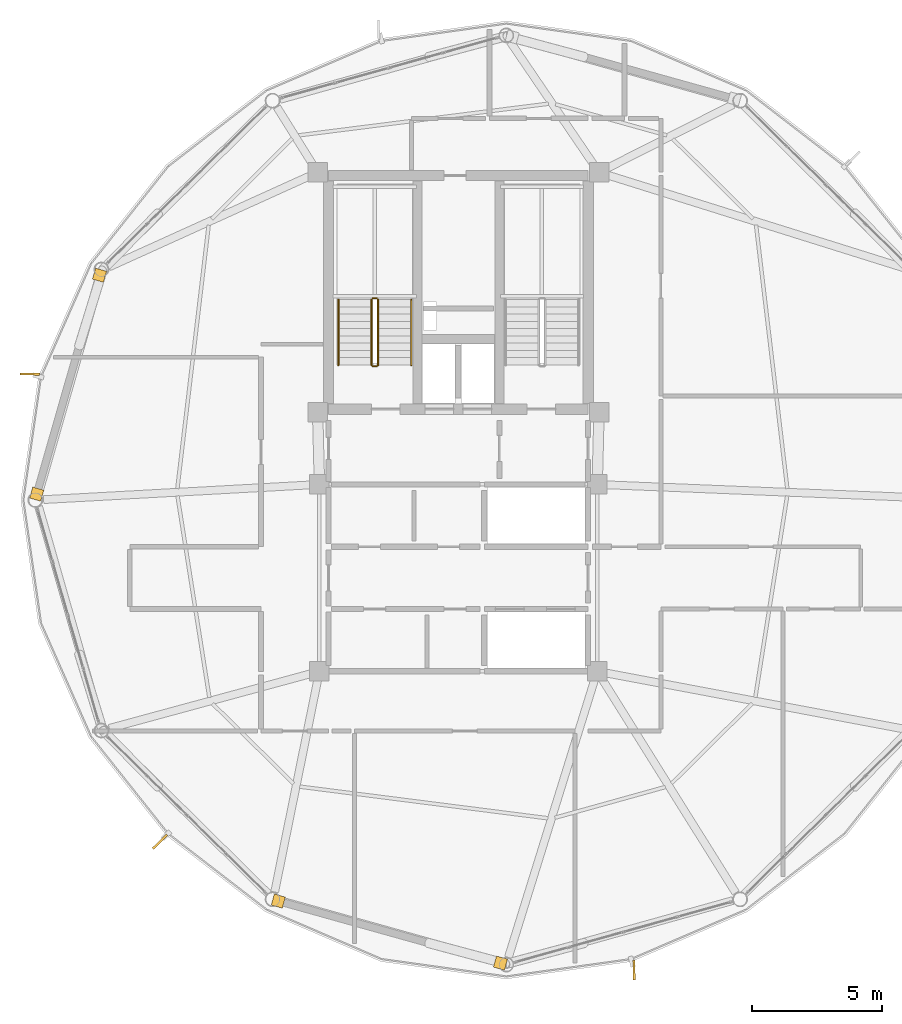
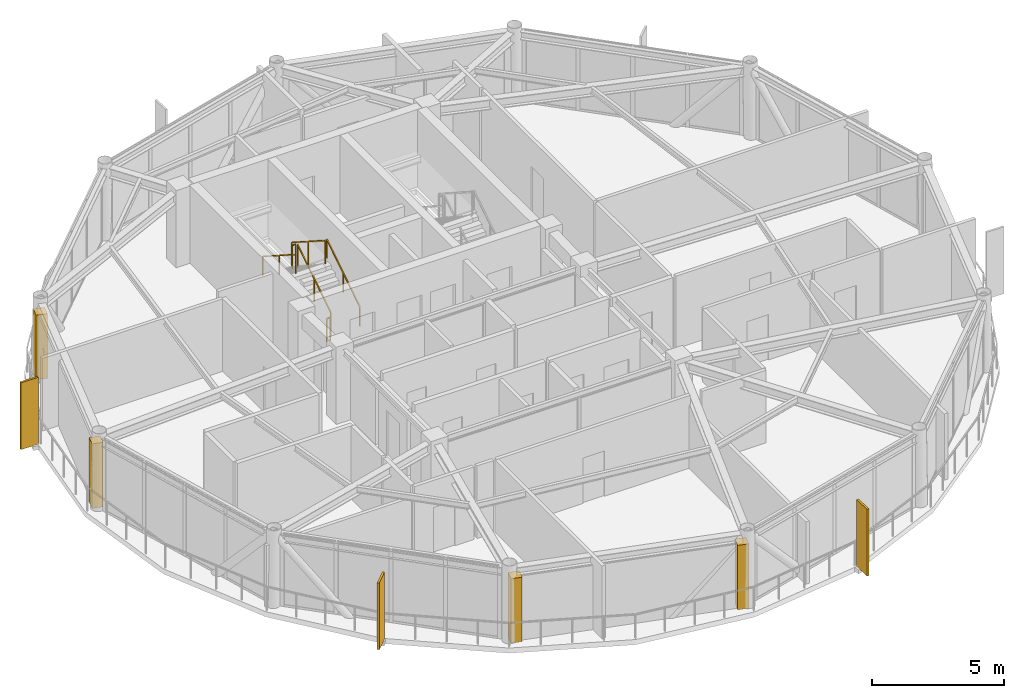
# One storey, part 24 of 26: 6 railings, 4 coverings, 3 shading devices.
"""IFC4 building model written with IfcOpenShell, lengths in metres."""

from ifc_helpers import new_model, si_unit, direction, frame, origin, origin_2d, place, context, subcontext, project, spatial, rectangle, extrude, source, transform, mapped, material, layer, layer_set, type_object, type_shapes, element, save


model = new_model("IFC4")

# Units and contexts
model_context = context("Model", 3, precision=1e-05, world=origin(), true_north=direction((0.0, 1.0)))
body_context = subcontext(model_context, "Body", "Model", "MODEL_VIEW")
ifc_project = project(units=[si_unit("LENGTHUNIT", "METRE"), si_unit("AREAUNIT", "SQUARE_METRE"), si_unit("VOLUMEUNIT", "CUBIC_METRE"), si_unit("PLANEANGLEUNIT", "RADIAN"), si_unit("MASSUNIT", "GRAM", prefix="KILO")], contexts=[model_context])

# Site, building, storey
site_placement = place(None, origin())
site = spatial("IfcSite", under=ifc_project, at=site_placement, CompositionType="ELEMENT")
building_placement = place(site_placement, origin())
building = spatial("IfcBuilding", under=site, at=building_placement, Name="Varnakorn Sky Granary", CompositionType="ELEMENT")
storey_placement = place(building_placement, frame((0.0, 0.0, 267.0)))
storey = spatial("IfcBuildingStorey", under=building, at=storey_placement, Name="L68", CompositionType="ELEMENT", Elevation=267.0)

# Railings
ifc_material_1 = material(Name="Brushed Stainless Steel 316", Category="steel")
railing_type_1 = type_object("IfcRailingType", Name="RL-STAIR-1100", PredefinedType="GUARDRAIL", material=ifc_material_1)
railing_1_placement = place(storey_placement, frame((-0.090087890625, 5.199951171875, 0.179931640625)))
element("IfcRailing", 1, at=railing_1_placement, inside=storey, type_object=railing_type_1, Name="L68 ST-1 stair guard 1", PredefinedType="GUARDRAIL", context=body_context, shape_type="SweptSolid", body=[
    extrude(rectangle(XDim=0.048095703125, YDim=0.048095703125, at=origin_2d()), frame((0.0, 0.0, 1.076171875), z_axis=(0.0, 0.841162588446, 0.540782303519), x_axis=(-1.0, 0.0, 0.0)), (0.0, 0.0, 1.0), 2.995849609375),
    extrude(rectangle(XDim=0.0419921875, YDim=0.0419921875, at=origin_2d()), origin(), (0.0, 0.0, 1.0), 1.048095703125),
    extrude(rectangle(XDim=0.0419921875, YDim=0.0419921875, at=origin_2d()), frame((0.0, 1.260009765625, 0.81005859375)), (0.0, 0.0, 1.0), 1.048095703125),
    extrude(rectangle(XDim=0.0419921875, YDim=0.0419921875, at=origin_2d()), frame((0.0, 2.52001953125, 1.6201171875)), (0.0, 0.0, 1.0), 1.048095703125),
])
railing_2_placement = place(storey_placement, frame((-0.139892578125, 7.77001953125, 1.800048828125)))
element("IfcRailing", 2, at=railing_2_placement, inside=storey, type_object=railing_type_1, Name="L68 ST-1 stair guard 2", PredefinedType="GUARDRAIL", context=body_context, shape_type="SweptSolid", body=[
    extrude(rectangle(XDim=0.048095703125, YDim=0.048095703125, at=origin_2d()), frame((0.0, 0.0, 1.076171875), z_axis=(-1.0, 0.0, 0.0), x_axis=(0.0, -1.0, 0.0)), (0.0, 0.0, 1.0), 0.150146484375),
    extrude(rectangle(XDim=0.0419921875, YDim=0.0419921875, at=origin_2d()), origin(), (0.0, 0.0, 1.0), 1.048095703125),
    extrude(rectangle(XDim=0.0419921875, YDim=0.0419921875, at=origin_2d()), frame((-0.150146484375, 0.0, 0.0)), (0.0, 0.0, 1.0), 1.048095703125),
])
railing_3_placement = place(storey_placement, frame((-0.340087890625, 7.719970703125, 1.97998046875)))
element("IfcRailing", 3, at=railing_3_placement, inside=storey, type_object=railing_type_1, Name="L68 ST-1 stair guard 3", PredefinedType="GUARDRAIL", context=body_context, shape_type="SweptSolid", body=[
    extrude(rectangle(XDim=0.048095703125, YDim=0.048095703125, at=origin_2d()), frame((0.0, 0.0, 1.076171875), z_axis=(0.0, -0.841162588446, 0.540782303519), x_axis=(1.0, 0.0, 0.0)), (0.0, 0.0, 1.0), 2.995849609375),
    extrude(rectangle(XDim=0.0419921875, YDim=0.0419921875, at=origin_2d()), origin(), (0.0, 0.0, 1.0), 1.048095703125),
    extrude(rectangle(XDim=0.0419921875, YDim=0.0419921875, at=origin_2d()), frame((0.0, -1.260009765625, 0.81005859375)), (0.0, 0.0, 1.0), 1.048095703125),
    extrude(rectangle(XDim=0.0419921875, YDim=0.0419921875, at=origin_2d()), frame((0.0, -2.52001953125, 1.6201171875)), (0.0, 0.0, 1.0), 1.048095703125),
])
railing_4_placement = place(storey_placement, frame((-0.139892578125, 5.14990234375, 0.0)))
element("IfcRailing", 4, at=railing_4_placement, inside=storey, type_object=railing_type_1, Name="L68 ST-1 stair guard 4", PredefinedType="GUARDRAIL", context=body_context, shape_type="SweptSolid", body=[
    extrude(rectangle(XDim=0.048095703125, YDim=0.048095703125, at=origin_2d()), frame((0.0, 0.0, 1.076171875), z_axis=(-1.0, 0.0, 0.0), x_axis=(0.0, -1.0, 0.0)), (0.0, 0.0, 1.0), 0.150146484375),
    extrude(rectangle(XDim=0.0419921875, YDim=0.0419921875, at=origin_2d()), origin(), (0.0, 0.0, 1.0), 1.048095703125),
    extrude(rectangle(XDim=0.0419921875, YDim=0.0419921875, at=origin_2d()), frame((-0.150146484375, 0.0, 0.0)), (0.0, 0.0, 1.0), 1.048095703125),
])
railing_type_2 = type_object("IfcRailingType", Name="RL-STAIR-920", PredefinedType="HANDRAIL", material=ifc_material_1)
railing_5_placement = place(storey_placement, frame((1.18994140625, 5.199951171875, 0.179931640625)))
element("IfcRailing", 5, at=railing_5_placement, inside=storey, type_object=railing_type_2, Name="L68 ST-1 stair handrail 1", PredefinedType="HANDRAIL", context=body_context, shape_type="SweptSolid", body=[
    extrude(rectangle(XDim=0.048095703125, YDim=0.048095703125, at=origin_2d()), frame((0.0, 0.0, 0.8759765625), z_axis=(0.0, 0.841162588446, 0.540782303519), x_axis=(-1.0, 0.0, 0.0)), (0.0, 0.0, 1.0), 2.995849609375),
    extrude(rectangle(XDim=0.0419921875, YDim=0.0419921875, at=origin_2d()), origin(), (0.0, 0.0, 1.0), 0.847900390625),
    extrude(rectangle(XDim=0.0419921875, YDim=0.0419921875, at=origin_2d()), frame((0.0, 1.260009765625, 0.81005859375)), (0.0, 0.0, 1.0), 0.847900390625),
    extrude(rectangle(XDim=0.0419921875, YDim=0.0419921875, at=origin_2d()), frame((0.0, 2.52001953125, 1.6201171875)), (0.0, 0.0, 1.0), 0.847900390625),
])
railing_6_placement = place(storey_placement, frame((-1.6201171875, 7.719970703125, 1.97998046875)))
element("IfcRailing", 6, at=railing_6_placement, inside=storey, type_object=railing_type_2, Name="L68 ST-1 stair handrail 2", PredefinedType="HANDRAIL", context=body_context, shape_type="SweptSolid", body=[
    extrude(rectangle(XDim=0.048095703125, YDim=0.048095703125, at=origin_2d()), frame((0.0, 0.0, 0.8759765625), z_axis=(0.0, -0.841162588446, 0.540782303519), x_axis=(1.0, 0.0, 0.0)), (0.0, 0.0, 1.0), 2.995849609375),
    extrude(rectangle(XDim=0.0419921875, YDim=0.0419921875, at=origin_2d()), origin(), (0.0, 0.0, 1.0), 0.847900390625),
    extrude(rectangle(XDim=0.0419921875, YDim=0.0419921875, at=origin_2d()), frame((0.0, -1.260009765625, 0.81005859375)), (0.0, 0.0, 1.0), 0.847900390625),
    extrude(rectangle(XDim=0.0419921875, YDim=0.0419921875, at=origin_2d()), frame((0.0, -2.52001953125, 1.6201171875)), (0.0, 0.0, 1.0), 0.847900390625),
])

# Coverings
ifc_material_2 = material(Name="Anodised Bronze Aluminium Alloy 6063-T6", Category="aluminium")
ifc_layer = layer(ifc_material_2, 0.050048828125, Name="Anodised Bronze Aluminium Alloy 6063-T6")
ifc_layer_set = layer_set([ifc_layer], Name="Anodised Bronze Aluminium Alloy 6063-T6")
covering_type = type_object("IfcCoveringType", Name="CV-CLAD-50", PredefinedType="CLADDING", material=ifc_layer_set)
shared_shape_1 = source(origin(), body_context, "Body", "SweptSolid", [
    extrude(rectangle(XDim=0.43994140625, YDim=0.43994140625, at=origin_2d()), origin(), (0.0, 0.0, 1.0), 2.989990234375),
])
type_shapes(covering_type, [shared_shape_1])
for number, where, z_axis, x_axis, name in (
    (7, (-13.2412109375, 0.225341796875, -0.02001953125), (0.0, 0.0, 1.0), (0.275805123434, 0.961213573504, 0.0), "Bronze Corner Pilaster Closure L68-P06-A"),
    (8, (-10.8212890625, 8.65869140625, -0.02001953125), (0.0, 0.0, 1.0), (0.275805123434, 0.961213573504, 0.0), "Bronze Corner Pilaster Closure L68-P06-B"),
    (9, (4.6240234375, -17.83984375, -0.02001953125), (0.0, 0.0, 1.0), (-0.963162566798, 0.268919820615, 0.0), "Bronze Corner Pilaster Closure L68-P09-A"),
    (10, (-3.9345703125, -15.45068359375, -0.02001953125), (0.0, 0.0, 1.0), (-0.963162566798, 0.268919820615, 0.0), "Bronze Corner Pilaster Closure L68-P09-B"),
):
    element("IfcCovering", number, at=place(storey_placement, frame(where, z_axis=z_axis, x_axis=x_axis)), inside=storey, type_object=covering_type, Name=name, PredefinedType="CLADDING", context=body_context, shape_type="MappedRepresentation", body=[
        mapped(shared_shape_1, transform((0.0, 0.0, 0.0), x_axis=(1.0, 0.0, 0.0), y_axis=(0.0, 1.0, 0.0), z_axis=(0.0, 0.0, 1.0), scale=1.0)),
    ])

# Shading devices
shading_device_type = type_object("IfcShadingDeviceType", Name="SH-FIN-03", PredefinedType="USERDEFINED", material=ifc_material_2)
shared_shape_2 = source(origin(), body_context, "Body", "SweptSolid", [
    extrude(rectangle(XDim=0.0849609375, YDim=0.760009765625, at=origin_2d()), origin(), (0.0, 0.0, 1.0), 3.10009765625),
])
type_shapes(shading_device_type, [shared_shape_2])
for number, where, z_axis, x_axis, name in (
    (11, (-13.50390625, 4.850830078125, -0.0400390625), (0.0, 0.0, 1.0), (-0.015598214475, -0.999878340452, 0.0), "Bronze Solar-Tracking Vertical Blade FIN L68-06"),
    (12, (-8.492431640625, -13.1591796875, -0.0400390625), (0.0, 0.0, 1.0), (0.704942993491, -0.709263967735, 0.0), "Bronze Solar-Tracking Vertical Blade FIN L68-08"),
    (13, (9.769287109375, -18.10888671875, -0.0400390625), (0.0, 0.0, 1.0), (0.99970265095, 0.024384619817, 0.0), "Bronze Solar-Tracking Vertical Blade FIN L68-10"),
):
    element("IfcShadingDevice", number, at=place(storey_placement, frame(where, z_axis=z_axis, x_axis=x_axis)), inside=storey, type_object=shading_device_type, Name=name, ObjectType="FIN", PredefinedType="USERDEFINED", context=body_context, shape_type="MappedRepresentation", body=[
        mapped(shared_shape_2, transform((0.0, 0.0, 0.0), x_axis=(1.0, 0.0, 0.0), y_axis=(0.0, 1.0, 0.0), z_axis=(0.0, 0.0, 1.0), scale=1.0)),
    ])

save(model, "model.ifc")
